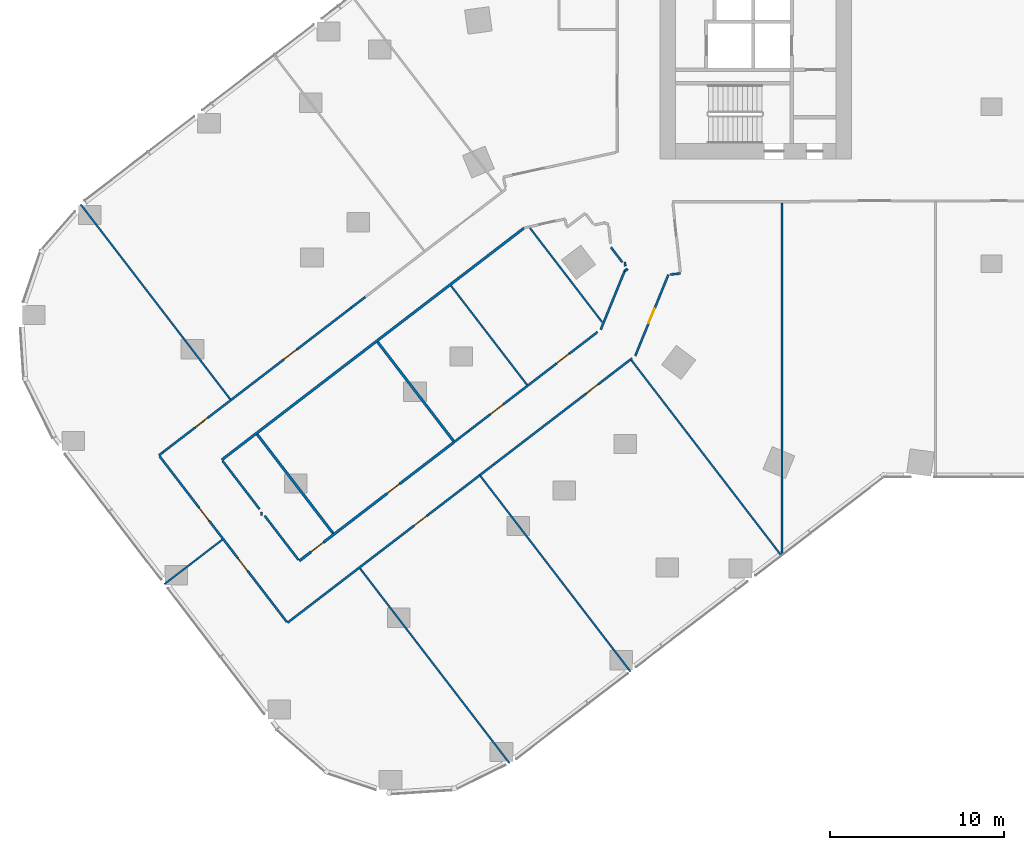
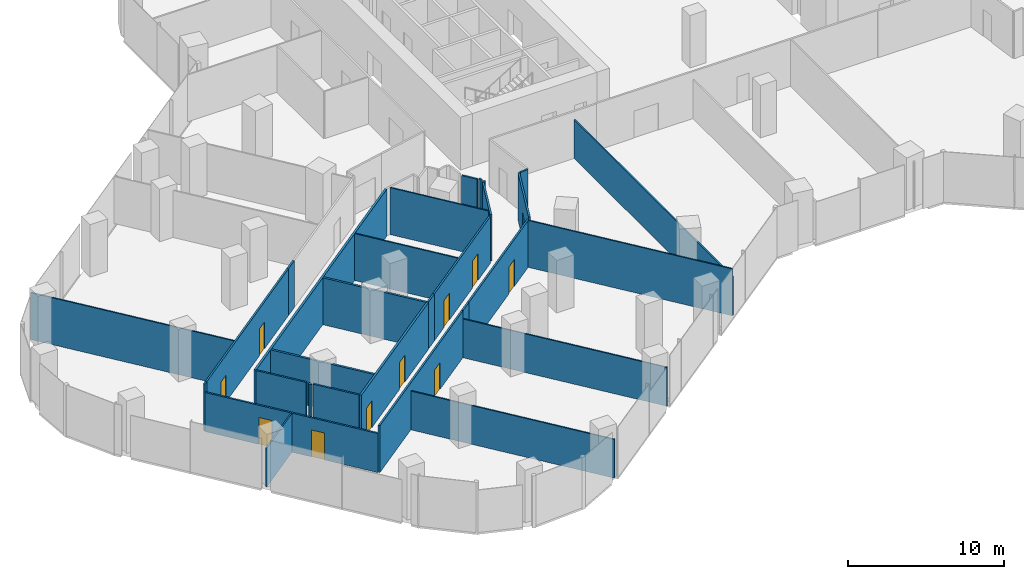
# One storey, part 21 of 29: 30 walls, 11 doors, 11 openings.
"""IFC4 building model written with IfcOpenShell, lengths in metres."""

from ifc_helpers import new_model, si_unit, direction, frame, frame_2d, origin, place, context, subcontext, project, spatial, rectangle, extrude, material, layer, layer_set, type_object, element, fill, save


model = new_model("IFC4")

# Units and contexts
model_context = context("Model", 3, precision=1e-05, world=origin(), true_north=direction((0.0, 1.0)))
body_context = subcontext(model_context, "Body", "Model", "MODEL_VIEW")
ifc_project = project(units=[si_unit("LENGTHUNIT", "METRE"), si_unit("AREAUNIT", "SQUARE_METRE"), si_unit("VOLUMEUNIT", "CUBIC_METRE"), si_unit("PLANEANGLEUNIT", "RADIAN"), si_unit("MASSUNIT", "GRAM", prefix="KILO")], contexts=[model_context])

# Site, building, storey
site_placement = place(None, origin())
site = spatial("IfcSite", under=ifc_project, at=site_placement, CompositionType="ELEMENT")
building_placement = place(site_placement, origin())
building = spatial("IfcBuilding", under=site, at=building_placement, Name="Orlundy Tower", CompositionType="ELEMENT")
storey_placement = place(building_placement, frame((0.0, 0.0, 29.199951171875)))
storey = spatial("IfcBuildingStorey", under=building, at=storey_placement, Name="L05", CompositionType="ELEMENT", Elevation=29.199951171875)

# Walls
ifc_material_1 = material(Name="Gypsum board partition")
ifc_layer_1 = layer(ifc_material_1, 0.10009765625)
ifc_layer_set_1 = layer_set([ifc_layer_1], Name="Floor partition 100")
wall_type_1 = type_object("IfcWallType", Name="Floor partition 100", PredefinedType="PARTITIONING", material=ifc_layer_set_1)
wall_1_placement = place(storey_placement, frame((-52.199951171875, -14.59912109375, 0.0), z_axis=(0.0, 0.0, 1.0), x_axis=(0.608818023879, -0.793309910312, 0.0)))
element("IfcWall", 1, at=wall_1_placement, inside=storey, type_object=wall_type_1, Name="wall-int-L05-016", PredefinedType="PARTITIONING", context=body_context, shape_type="SweptSolid", body=[
    extrude(rectangle(XDim=14.081298828125, YDim=0.10009765625, at=frame_2d((7.04052734375, 0.0))), origin(), (0.0, 0.0, 1.0), 3.66015625),
])
wall_2_placement = place(storey_placement, frame((-30.97509765625, -19.260986328125, 0.0), z_axis=(0.0, 0.0, 1.0), x_axis=(0.60876639971, -0.793349526113, 0.0)))
element("IfcWall", 2, at=wall_2_placement, inside=storey, type_object=wall_type_1, Name="wall-int-L05-022", PredefinedType="PARTITIONING", context=body_context, shape_type="SweptSolid", body=[
    extrude(rectangle(XDim=7.162109375, YDim=0.10009765625, at=frame_2d((3.5810546875, 0.0))), origin(), (0.0, 0.0, 1.0), 3.66015625),
])
wall_3_placement = place(storey_placement, frame((-26.43994140625, -15.9619140625, 0.0), z_axis=(0.0, 0.0, 1.0), x_axis=(0.608697215762, -0.79340260872, 0.0)))
element("IfcWall", 3, at=wall_3_placement, inside=storey, type_object=wall_type_1, Name="wall-int-L05-024", PredefinedType="PARTITIONING", context=body_context, shape_type="SweptSolid", body=[
    extrude(rectangle(XDim=6.7900390625, YDim=0.10009765625, at=frame_2d((3.39501953125, 0.0))), origin(), (0.0, 0.0, 1.0), 3.66015625),
])
wall_4_placement = place(storey_placement, frame((-20.62890625, -23.534912109375, 0.0), z_axis=(0.0, 0.0, 1.0), x_axis=(0.608775561638, -0.793342495743, 0.0)))
element("IfcWall", 4, at=wall_4_placement, inside=storey, type_object=wall_type_1, Name="wall-int-L05-025", PredefinedType="PARTITIONING", context=body_context, shape_type="SweptSolid", body=[
    extrude(rectangle(XDim=14.136474609375, YDim=0.10009765625, at=frame_2d((7.068359375, 0.0))), origin(), (0.0, 0.0, 1.0), 3.66015625),
])
ifc_material_2 = material(Name="Gypsum board partition")
ifc_layer_2 = layer(ifc_material_2, 0.10009765625)
ifc_layer_set_2 = layer_set([ifc_layer_2], Name="Floor partition 100 B")
wall_type_2 = type_object("IfcWallType", Name="Floor partition 100 B", PredefinedType="PARTITIONING", material=ifc_layer_set_2)
wall_5_placement = place(storey_placement, frame((-36.18408203125, -35.470947265625, 0.0), z_axis=(0.0, 0.0, 1.0), x_axis=(0.608732507749, -0.793375531517, 0.0)))
element("IfcWall", 5, at=wall_5_placement, inside=storey, type_object=wall_type_2, Name="wall-int-L05-018", PredefinedType="PARTITIONING", context=body_context, shape_type="SweptSolid", body=[
    extrude(rectangle(XDim=14.081787109375, YDim=0.10009765625, at=frame_2d((7.041015625, 0.0))), origin(), (0.0, 0.0, 1.0), 3.025146484375),
])
wall_6_placement = place(storey_placement, frame((-29.281982421875, -30.176025390625, 0.0), z_axis=(0.0, 0.0, 1.0), x_axis=(0.608773787241, -0.793343857333, 0.0)))
element("IfcWall", 6, at=wall_6_placement, inside=storey, type_object=wall_type_2, Name="wall-int-L05-020", PredefinedType="PARTITIONING", context=body_context, shape_type="SweptSolid", body=[
    extrude(rectangle(XDim=14.135009765625, YDim=0.10009765625, at=frame_2d((7.0673828125, 0.0))), origin(), (0.0, 0.0, 1.0), 3.025146484375),
])
wall_7_placement = place(storey_placement, frame((-47.403076171875, -36.3740234375, 0.0), z_axis=(0.0, 0.0, 1.0), x_axis=(0.793154740431, 0.609020162008, 0.0)))
element("IfcWall", 7, at=wall_7_placement, inside=storey, type_object=wall_type_2, Name="wall-int-L05-067", PredefinedType="PARTITIONING", context=body_context, shape_type="SweptSolid", body=[
    extrude(rectangle(XDim=4.18701171875, YDim=0.10009765625, at=frame_2d((2.093505859375, 0.0))), origin(), (0.0, 0.0, 1.0), 3.025146484375),
])
wall_8_placement = place(storey_placement, frame((-12.0, -34.73291015625, 0.0), z_axis=(0.0, 0.0, 1.0), x_axis=(0.0, 1.0, 0.0)))
element("IfcWall", 8, at=wall_8_placement, inside=storey, type_object=wall_type_2, Name="wall-int-L05-097", PredefinedType="PARTITIONING", context=body_context, shape_type="SweptSolid", body=[
    extrude(rectangle(XDim=20.218994140625, YDim=0.10009765625, at=frame_2d((10.109375, 0.0))), origin(), (0.0, 0.0, 1.0), 3.025146484375),
])
ifc_material_3 = material(Name="Gypsum board partition, double layer")
ifc_layer_3 = layer(ifc_material_3, 0.125)
ifc_layer_set_3 = layer_set([ifc_layer_3], Name="Floor partition 125")
wall_type_3 = type_object("IfcWallType", Name="Floor partition 125", PredefinedType="PARTITIONING", material=ifc_layer_set_3)
wall_9_placement = place(storey_placement, frame((-21.00390625, -17.904052734375, 0.0), z_axis=(0.0, 0.0, 1.0), x_axis=(0.105933230141, -0.994373245191, 0.0)))
element("IfcWall", 9, at=wall_9_placement, inside=storey, type_object=wall_type_3, Name="wall-int-L05-001", PredefinedType="PARTITIONING", context=body_context, shape_type="SweptSolid", body=[
    extrude(rectangle(XDim=0.244384765625, YDim=0.125, at=frame_2d((0.1220703125, 0.0))), origin(), (0.0, 0.0, 1.0), 3.66015625),
])
wall_10_placement = place(storey_placement, frame((-21.801025390625, -17.06103515625, 0.0), z_axis=(0.0, 0.0, 1.0), x_axis=(0.604123687543, -0.796890563471, 0.0)))
element("IfcWall", 10, at=wall_10_placement, inside=storey, type_object=wall_type_3, Name="wall-int-L05-012", PredefinedType="PARTITIONING", context=body_context, shape_type="SweptSolid", body=[
    extrude(rectangle(XDim=1.077880859375, YDim=0.125, at=frame_2d((0.5390625, 0.0))), origin(), (0.0, 0.0, 1.0), 3.66015625),
])
wall_11_placement = place(storey_placement, frame((-44.06396484375, -29.306884765625, 0.0), z_axis=(0.0, 0.0, 1.0), x_axis=(0.608587271244, -0.793486945879, 0.0)))
element("IfcWall", 11, at=wall_11_placement, inside=storey, type_object=wall_type_3, Name="wall-int-L05-014", PredefinedType="PARTITIONING", context=body_context, shape_type="SweptSolid", body=[
    extrude(rectangle(XDim=3.488525390625, YDim=0.125, at=frame_2d((1.744140625, 0.0))), origin(), (0.0, 0.0, 1.0), 3.66015625),
])
wall_12_placement = place(storey_placement, frame((-41.653076171875, -32.449951171875, 0.0), z_axis=(0.0, 0.0, 1.0), x_axis=(0.60867753108, -0.793417710389, 0.0)))
element("IfcWall", 12, at=wall_12_placement, inside=storey, type_object=wall_type_3, Name="wall-int-L05-015", PredefinedType="PARTITIONING", context=body_context, shape_type="SweptSolid", body=[
    extrude(rectangle(XDim=3.1875, YDim=0.125, at=frame_2d((1.59375, 0.0))), origin(), (0.0, 0.0, 1.0), 3.66015625),
])
wall_13_placement = place(storey_placement, frame((-18.406005859375, -18.623046875, 0.0), z_axis=(0.0, 0.0, 1.0), x_axis=(0.994037722998, 0.109036715182, 0.0)))
element("IfcWall", 13, at=wall_13_placement, inside=storey, type_object=wall_type_3, Name="wall-int-L05-051", PredefinedType="PARTITIONING", context=body_context, shape_type="SweptSolid", body=[
    extrude(rectangle(XDim=0.595703125, YDim=0.125, at=frame_2d((0.2978515625, 0.0))), origin(), (0.0, 0.0, 1.0), 3.66015625),
])
wall_14_placement = place(storey_placement, frame((-21.01904296875, -18.427978515625, 0.0), z_axis=(0.0, 0.0, 1.0), x_axis=(0.797092148154, 0.603857687995, 0.0)))
element("IfcWall", 14, at=wall_14_placement, inside=storey, type_object=wall_type_3, Name="wall-int-L05-060", PredefinedType="PARTITIONING", context=body_context, shape_type="SweptSolid", body=[
    extrude(rectangle(XDim=0.2021484375, YDim=0.125, at=frame_2d((0.10107421875, 0.0))), origin(), (0.0, 0.0, 1.0), 3.66015625),
])
wall_15_placement = place(storey_placement, frame((-29.320068359375, -30.1240234375, 0.0), z_axis=(0.0, 0.0, 1.0), x_axis=(0.793776779764, 0.608209194198, 0.0)))
element("IfcWall", 15, at=wall_15_placement, inside=storey, type_object=wall_type_3, Name="wall-int-L05-061", PredefinedType="PARTITIONING", context=body_context, shape_type="SweptSolid", body=[
    extrude(rectangle(XDim=1.014404296875, YDim=0.125, at=frame_2d((0.50732421875, 0.0))), origin(), (0.0, 0.0, 1.0), 3.66015625),
])

# Wall, opening, door
wall_16_placement = place(storey_placement, frame((-29.320068359375, -30.126953125, 0.0), z_axis=(0.0, 0.0, 1.0), x_axis=(-0.793456491448, -0.608626976217, 0.0)))
wall_16 = element("IfcWall", 16, at=wall_16_placement, inside=storey, type_object=wall_type_3, Name="wall-int-L05-062", PredefinedType="PARTITIONING", context=body_context, shape_type="SweptSolid", body=[
    extrude(rectangle(XDim=13.8984375, YDim=0.125, at=frame_2d((6.94921875, 0.0))), origin(), (0.0, 0.0, 1.0), 3.66015625),
])
opening_1_placement = place(wall_16_placement, frame((3.84912109375, 0.0, 0.0)))
opening_1 = element("IfcOpeningElement", 17, at=opening_1_placement, cuts=wall_16, Name="Opening 06112", PredefinedType="OPENING", context=body_context, shape_type="SweptSolid", body=[
    extrude(rectangle(XDim=0.89990234375, YDim=2.10009765625, at=frame_2d((0.449951171875, 1.050048828125))), frame((0.0, 0.072509765625, 0.0), z_axis=(0.0, -1.0, 0.0), x_axis=(1.0, 0.0, 0.0)), (0.0, 0.0, 1.0), 0.14501953125),
])
ifc_material_4 = material(Name="Timber door leaf", Category="wood")
door_type_1 = type_object("IfcDoorType", Name="Floor door single 900 FD30S", OperationType="NOTDEFINED", PredefinedType="DOOR", material=ifc_material_4)
door_1_placement = place(opening_1_placement, origin())
door_1 = element("IfcDoor", 18, at=door_1_placement, inside=storey, type_object=door_type_1, Name="Door 06112", OperationType="SINGLE_SWING_LEFT", OverallHeight=2.10009765625, OverallWidth=0.89990234375, PredefinedType="DOOR", context=body_context, shape_type="SweptSolid", body=[
    extrude(rectangle(XDim=0.89990234375, YDim=2.10009765625, at=frame_2d((0.449951171875, 1.050048828125))), frame((0.0, 0.02490234375, 0.0), z_axis=(0.0, -1.0, 0.0), x_axis=(1.0, 0.0, 0.0)), (0.0, 0.0, 1.0), 0.050048828125),
])
fill(opening_1, door_1)

wall_17_placement = place(storey_placement, frame((-20.593017578125, -23.427978515625, 0.0), z_axis=(0.0, 0.0, 1.0), x_axis=(-0.793332393454, -0.608788726486, 0.0)))
wall_17 = element("IfcWall", 19, at=wall_17_placement, inside=storey, type_object=wall_type_3, Name="wall-int-L05-063", PredefinedType="PARTITIONING", context=body_context, shape_type="SweptSolid", body=[
    extrude(rectangle(XDim=9.985595703125, YDim=0.125, at=frame_2d((4.99267578125, 0.0))), origin(), (0.0, 0.0, 1.0), 3.66015625),
])
opening_2_placement = place(wall_17_placement, frame((2.44482421875, 0.0, 0.0)))
opening_2 = element("IfcOpeningElement", 20, at=opening_2_placement, cuts=wall_17, Name="Opening 06111", PredefinedType="OPENING", context=body_context, shape_type="SweptSolid", body=[
    extrude(rectangle(XDim=0.89990234375, YDim=2.10009765625, at=frame_2d((0.449951171875, 1.050048828125))), frame((0.0, 0.072509765625, 0.0), z_axis=(0.0, -1.0, 0.0), x_axis=(1.0, 0.0, 0.0)), (0.0, 0.0, 1.0), 0.14501953125),
])
door_2_placement = place(opening_2_placement, origin())
door_2 = element("IfcDoor", 21, at=door_2_placement, inside=storey, type_object=door_type_1, Name="Door 06111", OperationType="SINGLE_SWING_LEFT", OverallHeight=2.10009765625, OverallWidth=0.89990234375, PredefinedType="DOOR", context=body_context, shape_type="SweptSolid", body=[
    extrude(rectangle(XDim=0.89990234375, YDim=2.10009765625, at=frame_2d((0.449951171875, 1.050048828125))), frame((0.0, 0.02490234375, 0.0), z_axis=(0.0, -1.0, 0.0), x_axis=(1.0, 0.0, 0.0)), (0.0, 0.0, 1.0), 0.050048828125),
])
fill(opening_2, door_2)

# Wall
wall_18_placement = place(storey_placement, frame((-30.781982421875, -28.219970703125, 0.0), z_axis=(0.0, 0.0, 1.0), x_axis=(0.793579274907, 0.608466872096, 0.0)))
element("IfcWall", 22, at=wall_18_placement, inside=storey, type_object=wall_type_3, Name="wall-int-L05-064", PredefinedType="PARTITIONING", context=body_context, shape_type="SweptSolid", body=[
    extrude(rectangle(XDim=1.015625, YDim=0.125, at=frame_2d((0.5078125, 0.0))), origin(), (0.0, 0.0, 1.0), 3.66015625),
])

# Wall, openings, doors
wall_19_placement = place(storey_placement, frame((-29.97607421875, -27.60205078125, 0.0), z_axis=(0.0, 0.0, 1.0), x_axis=(0.793237948633, 0.608911780843, 0.0)))
wall_19 = element("IfcWall", 23, at=wall_19_placement, inside=storey, type_object=wall_type_3, Name="wall-int-L05-066", PredefinedType="PARTITIONING", context=body_context, shape_type="SweptSolid", body=[
    extrude(rectangle(XDim=9.33642578125, YDim=0.125, at=frame_2d((4.668212890625, 0.0))), origin(), (0.0, 0.0, 1.0), 3.66015625),
])
opening_3_placement = place(wall_19_placement, frame((6.385009765625, 0.0, 0.0)))
opening_3 = element("IfcOpeningElement", 24, at=opening_3_placement, cuts=wall_19, Name="Opening 06113", PredefinedType="OPENING", context=body_context, shape_type="SweptSolid", body=[
    extrude(rectangle(XDim=0.89990234375, YDim=2.10009765625, at=frame_2d((0.449951171875, 1.050048828125))), frame((0.0, 0.072509765625, 0.0), z_axis=(0.0, -1.0, 0.0), x_axis=(1.0, 0.0, 0.0)), (0.0, 0.0, 1.0), 0.14501953125),
])
opening_4_placement = place(wall_19_placement, frame((1.60009765625, 0.0, 0.0)))
opening_4 = element("IfcOpeningElement", 25, at=opening_4_placement, cuts=wall_19, Name="Opening 06114", PredefinedType="OPENING", context=body_context, shape_type="SweptSolid", body=[
    extrude(rectangle(XDim=0.89990234375, YDim=2.10009765625, at=frame_2d((0.449951171875, 1.050048828125))), frame((0.0, 0.072509765625, 0.0), z_axis=(0.0, -1.0, 0.0), x_axis=(1.0, 0.0, 0.0)), (0.0, 0.0, 1.0), 0.14501953125),
])
door_3_placement = place(opening_3_placement, origin())
door_3 = element("IfcDoor", 26, at=door_3_placement, inside=storey, type_object=door_type_1, Name="Door 06113", OperationType="SINGLE_SWING_RIGHT", OverallHeight=2.10009765625, OverallWidth=0.89990234375, PredefinedType="DOOR", context=body_context, shape_type="SweptSolid", body=[
    extrude(rectangle(XDim=0.89990234375, YDim=2.10009765625, at=frame_2d((0.449951171875, 1.050048828125))), frame((0.0, 0.02490234375, 0.0), z_axis=(0.0, -1.0, 0.0), x_axis=(1.0, 0.0, 0.0)), (0.0, 0.0, 1.0), 0.050048828125),
])
fill(opening_3, door_3)
door_4_placement = place(opening_4_placement, origin())
door_4 = element("IfcDoor", 27, at=door_4_placement, inside=storey, type_object=door_type_1, Name="Door 06114", OperationType="SINGLE_SWING_LEFT", OverallHeight=2.10009765625, OverallWidth=0.89990234375, PredefinedType="DOOR", context=body_context, shape_type="SweptSolid", body=[
    extrude(rectangle(XDim=0.89990234375, YDim=2.10009765625, at=frame_2d((0.449951171875, 1.050048828125))), frame((0.0, 0.02490234375, 0.0), z_axis=(0.0, -1.0, 0.0), x_axis=(1.0, 0.0, 0.0)), (0.0, 0.0, 1.0), 0.050048828125),
])
fill(opening_4, door_4)

# Wall
wall_20_placement = place(storey_placement, frame((-36.68701171875, -20.52392578125, 0.0), z_axis=(0.0, 0.0, 1.0), x_axis=(0.793579274907, 0.608466872096, 0.0)))
element("IfcWall", 28, at=wall_20_placement, inside=storey, type_object=wall_type_3, Name="wall-int-L05-069", PredefinedType="PARTITIONING", context=body_context, shape_type="SweptSolid", body=[
    extrude(rectangle(XDim=1.015625, YDim=0.125, at=frame_2d((0.5078125, 0.0))), origin(), (0.0, 0.0, 1.0), 3.66015625),
])

# Wall, openings, doors
wall_21_placement = place(storey_placement, frame((-47.47607421875, -28.802978515625, 0.0), z_axis=(0.0, 0.0, 1.0), x_axis=(0.793430085013, 0.608661400284, 0.0)))
wall_21 = element("IfcWall", 29, at=wall_21_placement, inside=storey, type_object=wall_type_3, Name="wall-int-L05-070", PredefinedType="PARTITIONING", context=body_context, shape_type="SweptSolid", body=[
    extrude(rectangle(XDim=13.600341796875, YDim=0.125, at=frame_2d((6.80029296875, 0.0))), origin(), (0.0, 0.0, 1.0), 3.66015625),
])
opening_5_placement = place(wall_21_placement, frame((2.326416015625, 0.0, 0.0)))
opening_5 = element("IfcOpeningElement", 30, at=opening_5_placement, cuts=wall_21, Name="Opening 06118", PredefinedType="OPENING", context=body_context, shape_type="SweptSolid", body=[
    extrude(rectangle(XDim=0.89990234375, YDim=2.10009765625, at=frame_2d((0.449951171875, 1.050048828125))), frame((0.0, 0.072509765625, 0.0), z_axis=(0.0, -1.0, 0.0), x_axis=(1.0, 0.0, 0.0)), (0.0, 0.0, 1.0), 0.14501953125),
])
opening_6_placement = place(wall_21_placement, frame((8.75048828125, 0.0, 0.0)))
opening_6 = element("IfcOpeningElement", 31, at=opening_6_placement, cuts=wall_21, Name="Opening 06121", PredefinedType="OPENING", context=body_context, shape_type="SweptSolid", body=[
    extrude(rectangle(XDim=0.89990234375, YDim=2.10009765625, at=frame_2d((0.449951171875, 1.050048828125))), frame((0.0, 0.072509765625, 0.0), z_axis=(0.0, -1.0, 0.0), x_axis=(1.0, 0.0, 0.0)), (0.0, 0.0, 1.0), 0.14501953125),
])
door_5_placement = place(opening_5_placement, origin())
door_5 = element("IfcDoor", 32, at=door_5_placement, inside=storey, type_object=door_type_1, Name="Door 06118", OperationType="SINGLE_SWING_LEFT", OverallHeight=2.10009765625, OverallWidth=0.89990234375, PredefinedType="DOOR", context=body_context, shape_type="SweptSolid", body=[
    extrude(rectangle(XDim=0.89990234375, YDim=2.10009765625, at=frame_2d((0.449951171875, 1.050048828125))), frame((0.0, 0.02490234375, 0.0), z_axis=(0.0, -1.0, 0.0), x_axis=(1.0, 0.0, 0.0)), (0.0, 0.0, 1.0), 0.050048828125),
])
fill(opening_5, door_5)
door_6_placement = place(opening_6_placement, origin())
door_6 = element("IfcDoor", 33, at=door_6_placement, inside=storey, type_object=door_type_1, Name="Door 06121", OperationType="SINGLE_SWING_RIGHT", OverallHeight=2.10009765625, OverallWidth=0.89990234375, PredefinedType="DOOR", context=body_context, shape_type="SweptSolid", body=[
    extrude(rectangle(XDim=0.89990234375, YDim=2.10009765625, at=frame_2d((0.449951171875, 1.050048828125))), frame((0.0, 0.02490234375, 0.0), z_axis=(0.0, -1.0, 0.0), x_axis=(1.0, 0.0, 0.0)), (0.0, 0.0, 1.0), 0.050048828125),
])
fill(opening_6, door_6)

# Wall
wall_22_placement = place(storey_placement, frame((-47.714111328125, -28.986083984375, 0.0), z_axis=(0.0, 0.0, 1.0), x_axis=(0.792623989105, 0.60971076085, 0.0)))
element("IfcWall", 34, at=wall_22_placement, inside=storey, type_object=wall_type_3, Name="wall-int-L05-073", PredefinedType="PARTITIONING", context=body_context, shape_type="SweptSolid", body=[
    extrude(rectangle(XDim=0.30029296875, YDim=0.125, at=frame_2d((0.150146484375, 0.0))), origin(), (0.0, 0.0, 1.0), 3.66015625),
])

# Wall, opening, door
wall_23_placement = place(storey_placement, frame((-18.510009765625, -18.634033203125, 0.0), z_axis=(0.0, 0.0, 1.0), x_axis=(-0.377847706778, -0.925867760797, 0.0)))
wall_23 = element("IfcWall", 35, at=wall_23_placement, inside=storey, type_object=wall_type_3, Name="wall-int-L05-088", PredefinedType="PARTITIONING", context=body_context, shape_type="SweptSolid", body=[
    extrude(rectangle(XDim=5.025634765625, YDim=0.125, at=frame_2d((2.5126953125, 0.0))), origin(), (0.0, 0.0, 1.0), 3.66015625),
])
opening_7_placement = place(wall_23_placement, frame((2.10009765625, 0.0, 0.0)))
opening_7 = element("IfcOpeningElement", 36, at=opening_7_placement, cuts=wall_23, Name="Opening 06125", PredefinedType="OPENING", context=body_context, shape_type="SweptSolid", body=[
    extrude(rectangle(XDim=0.89990234375, YDim=2.10009765625, at=frame_2d((0.449951171875, 1.050048828125))), frame((0.0, 0.072509765625, 0.0), z_axis=(0.0, -1.0, 0.0), x_axis=(1.0, 0.0, 0.0)), (0.0, 0.0, 1.0), 0.14501953125),
])
door_7_placement = place(opening_7_placement, origin())
door_7 = element("IfcDoor", 37, at=door_7_placement, inside=storey, type_object=door_type_1, Name="Door 06125", OperationType="SINGLE_SWING_RIGHT", OverallHeight=2.10009765625, OverallWidth=0.89990234375, PredefinedType="DOOR", context=body_context, shape_type="SweptSolid", body=[
    extrude(rectangle(XDim=0.89990234375, YDim=2.10009765625, at=frame_2d((0.449951171875, 1.050048828125))), frame((0.0, 0.02490234375, 0.0), z_axis=(0.0, -1.0, 0.0), x_axis=(1.0, 0.0, 0.0)), (0.0, 0.0, 1.0), 0.050048828125),
])
fill(opening_7, door_7)

# Walls
wall_24_placement = place(storey_placement, frame((-22.386962890625, -21.778076171875, 0.0), z_axis=(0.0, 0.0, 1.0), x_axis=(0.377843834017, 0.925869341265, 0.0)))
element("IfcWall", 38, at=wall_24_placement, inside=storey, type_object=wall_type_3, Name="wall-int-L05-089", PredefinedType="PARTITIONING", context=body_context, shape_type="SweptSolid", body=[
    extrude(rectangle(XDim=3.615234375, YDim=0.125, at=frame_2d((1.8076171875, 0.0))), origin(), (0.0, 0.0, 1.0), 3.66015625),
])
wall_25_placement = place(storey_placement, frame((-41.827880859375, -32.448974609375, 0.0), z_axis=(0.0, 0.0, 1.0), x_axis=(0.0, 1.0, 0.0)))
element("IfcWall", 39, at=wall_25_placement, inside=storey, type_object=wall_type_3, Name="wall-int-L05-101", PredefinedType="PARTITIONING", context=body_context, shape_type="SweptSolid", body=[
    extrude(rectangle(XDim=0.22802734375, YDim=0.125, at=frame_2d((0.114013671875, 0.0))), origin(), (0.0, 0.0, 1.0), 3.66015625),
])

# Wall, openings, doors
ifc_material_5 = material(Name="Gypsum board partition, double layer")
ifc_layer_4 = layer(ifc_material_5, 0.125)
ifc_layer_set_4 = layer_set([ifc_layer_4], Name="Floor partition 125 B")
wall_type_4 = type_object("IfcWallType", Name="Floor partition 125 B", PredefinedType="PARTITIONING", material=ifc_layer_set_4)
wall_26_placement = place(storey_placement, frame((-40.384033203125, -38.534912109375, 0.0), z_axis=(0.0, 0.0, 1.0), x_axis=(-0.609026744184, 0.793149686294, 0.0)))
wall_26 = element("IfcWall", 40, at=wall_26_placement, inside=storey, type_object=wall_type_4, Name="wall-int-L05-013", PredefinedType="PARTITIONING", context=body_context, shape_type="SweptSolid", body=[
    extrude(rectangle(XDim=11.974853515625, YDim=0.125, at=frame_2d((5.9873046875, 0.0))), origin(), (0.0, 0.0, 1.0), 3.048828125),
])
opening_8_placement = place(wall_26_placement, frame((3.68798828125, 0.0, 0.0)))
opening_8 = element("IfcOpeningElement", 41, at=opening_8_placement, cuts=wall_26, Name="Opening 06117", PredefinedType="OPENING", context=body_context, shape_type="SweptSolid", body=[
    extrude(rectangle(XDim=0.89990234375, YDim=2.10009765625, at=frame_2d((0.449951171875, 1.050048828125))), frame((0.0, 0.072509765625, 0.0), z_axis=(0.0, -1.0, 0.0), x_axis=(1.0, 0.0, 0.0)), (0.0, 0.0, 1.0), 0.14501953125),
])
opening_9_placement = place(wall_26_placement, frame((7.33837890625, 0.0, 0.0)))
opening_9 = element("IfcOpeningElement", 42, at=opening_9_placement, cuts=wall_26, Name="Opening 06119", PredefinedType="OPENING", context=body_context, shape_type="SweptSolid", body=[
    extrude(rectangle(XDim=0.89990234375, YDim=2.10009765625, at=frame_2d((0.449951171875, 1.050048828125))), frame((0.0, 0.072509765625, 0.0), z_axis=(0.0, -1.0, 0.0), x_axis=(1.0, 0.0, 0.0)), (0.0, 0.0, 1.0), 0.14501953125),
])
door_8_placement = place(opening_8_placement, origin())
door_8 = element("IfcDoor", 43, at=door_8_placement, inside=storey, type_object=door_type_1, Name="Door 06117", OperationType="SINGLE_SWING_LEFT", OverallHeight=2.10009765625, OverallWidth=0.89990234375, PredefinedType="DOOR", context=body_context, shape_type="SweptSolid", body=[
    extrude(rectangle(XDim=0.89990234375, YDim=2.10009765625, at=frame_2d((0.449951171875, 1.050048828125))), frame((0.0, 0.02490234375, 0.0), z_axis=(0.0, -1.0, 0.0), x_axis=(1.0, 0.0, 0.0)), (0.0, 0.0, 1.0), 0.050048828125),
])
fill(opening_8, door_8)
door_9_placement = place(opening_9_placement, origin())
door_9 = element("IfcDoor", 44, at=door_9_placement, inside=storey, type_object=door_type_1, Name="Door 06119", OperationType="SINGLE_SWING_RIGHT", OverallHeight=2.10009765625, OverallWidth=0.89990234375, PredefinedType="DOOR", context=body_context, shape_type="SweptSolid", body=[
    extrude(rectangle(XDim=0.89990234375, YDim=2.10009765625, at=frame_2d((0.449951171875, 1.050048828125))), frame((0.0, 0.02490234375, 0.0), z_axis=(0.0, -1.0, 0.0), x_axis=(1.0, 0.0, 0.0)), (0.0, 0.0, 1.0), 0.050048828125),
])
fill(opening_9, door_9)

# Walls
ifc_material_6 = material(Name="Blockwork shaft wall", Category="masonry")
ifc_layer_5 = layer(ifc_material_6, 0.14990234375)
ifc_layer_set_5 = layer_set([ifc_layer_5], Name="Floor shaft wall 150")
wall_type_5 = type_object("IfcWallType", Name="Floor shaft wall 150", PredefinedType="PARTITIONING", material=ifc_layer_set_5)
wall_27_placement = place(storey_placement, frame((-42.0810546875, -27.785888671875, 0.0), z_axis=(0.0, 0.0, 1.0), x_axis=(0.608779288924, -0.793339635577, 0.0)))
element("IfcWall", 45, at=wall_27_placement, inside=storey, type_object=wall_type_5, Name="wall-int-L05-017", PredefinedType="PARTITIONING", context=body_context, shape_type="SweptSolid", body=[
    extrude(rectangle(XDim=7.147216796875, YDim=0.14990234375, at=frame_2d((3.57373046875, 0.0))), origin(), (0.0, 0.0, 1.0), 3.66015625),
])
wall_28_placement = place(storey_placement, frame((-35.178955078125, -22.489013671875, 0.0), z_axis=(0.0, 0.0, 1.0), x_axis=(0.608729798771, -0.793377610024, 0.0)))
element("IfcWall", 46, at=wall_28_placement, inside=storey, type_object=wall_type_5, Name="wall-int-L05-019", PredefinedType="PARTITIONING", context=body_context, shape_type="SweptSolid", body=[
    extrude(rectangle(XDim=7.147705078125, YDim=0.14990234375, at=frame_2d((3.57373046875, 0.0))), origin(), (0.0, 0.0, 1.0), 3.66015625),
])

# Wall, openings, doors
wall_29_placement = place(storey_placement, frame((-39.6669921875, -35.0380859375, 0.0), z_axis=(0.0, 0.0, 1.0), x_axis=(0.793293656215, 0.608839202917, 0.0)))
wall_29 = element("IfcWall", 47, at=wall_29_placement, inside=storey, type_object=wall_type_5, Name="wall-int-L05-065", PredefinedType="PARTITIONING", context=body_context, shape_type="SweptSolid", body=[
    extrude(rectangle(XDim=11.2001953125, YDim=0.14990234375, at=frame_2d((5.60009765625, 0.0))), origin(), (0.0, 0.0, 1.0), 3.66015625),
])
opening_10_placement = place(wall_29_placement, frame((6.349853515625, 0.0, 0.0)))
opening_10 = element("IfcOpeningElement", 48, at=opening_10_placement, cuts=wall_29, Name="Opening 06115", PredefinedType="OPENING", context=body_context, shape_type="SweptSolid", body=[
    extrude(rectangle(XDim=0.89990234375, YDim=2.10009765625, at=frame_2d((0.449951171875, 1.050048828125))), frame((0.0, 0.0849609375, 0.0), z_axis=(0.0, -1.0, 0.0), x_axis=(1.0, 0.0, 0.0)), (0.0, 0.0, 1.0), 0.169921875),
])
opening_11_placement = place(wall_29_placement, frame((0.85009765625, 0.0, 0.0)))
opening_11 = element("IfcOpeningElement", 49, at=opening_11_placement, cuts=wall_29, Name="Opening 06116", PredefinedType="OPENING", context=body_context, shape_type="SweptSolid", body=[
    extrude(rectangle(XDim=0.89990234375, YDim=2.10009765625, at=frame_2d((0.449951171875, 1.050048828125))), frame((0.0, 0.0849609375, 0.0), z_axis=(0.0, -1.0, 0.0), x_axis=(1.0, 0.0, 0.0)), (0.0, 0.0, 1.0), 0.169921875),
])
ifc_material_7 = material(Name="Timber door leaf", Category="wood")
door_type_2 = type_object("IfcDoorType", Name="Floor door single 900 FD60", OperationType="NOTDEFINED", PredefinedType="DOOR", material=ifc_material_7)
door_10_placement = place(opening_10_placement, origin())
door_10 = element("IfcDoor", 50, at=door_10_placement, inside=storey, type_object=door_type_2, Name="Door 06115", OperationType="SINGLE_SWING_RIGHT", OverallHeight=2.10009765625, OverallWidth=0.89990234375, PredefinedType="DOOR", context=body_context, shape_type="SweptSolid", body=[
    extrude(rectangle(XDim=0.89990234375, YDim=2.10009765625, at=frame_2d((0.449951171875, 1.050048828125))), frame((0.0, 0.02490234375, 0.0), z_axis=(0.0, -1.0, 0.0), x_axis=(1.0, 0.0, 0.0)), (0.0, 0.0, 1.0), 0.050048828125),
])
fill(opening_10, door_10)
door_11_placement = place(opening_11_placement, origin())
door_11 = element("IfcDoor", 51, at=door_11_placement, inside=storey, type_object=door_type_2, Name="Door 06116", OperationType="SINGLE_SWING_LEFT", OverallHeight=2.10009765625, OverallWidth=0.89990234375, PredefinedType="DOOR", context=body_context, shape_type="SweptSolid", body=[
    extrude(rectangle(XDim=0.89990234375, YDim=2.10009765625, at=frame_2d((0.449951171875, 1.050048828125))), frame((0.0, 0.02490234375, 0.0), z_axis=(0.0, -1.0, 0.0), x_axis=(1.0, 0.0, 0.0)), (0.0, 0.0, 1.0), 0.050048828125),
])
fill(opening_11, door_11)

# Wall
wall_30_placement = place(storey_placement, frame((-44.110107421875, -29.2470703125, 0.0), z_axis=(0.0, 0.0, 1.0), x_axis=(0.793471030698, 0.608608021179, 0.0)))
element("IfcWall", 52, at=wall_30_placement, inside=storey, type_object=wall_type_5, Name="wall-int-L05-068", PredefinedType="PARTITIONING", context=body_context, shape_type="SweptSolid", body=[
    extrude(rectangle(XDim=21.83837890625, YDim=0.14990234375, at=frame_2d((10.919189453125, 0.0))), origin(), (0.0, 0.0, 1.0), 3.66015625),
])

save(model, "model.ifc")
